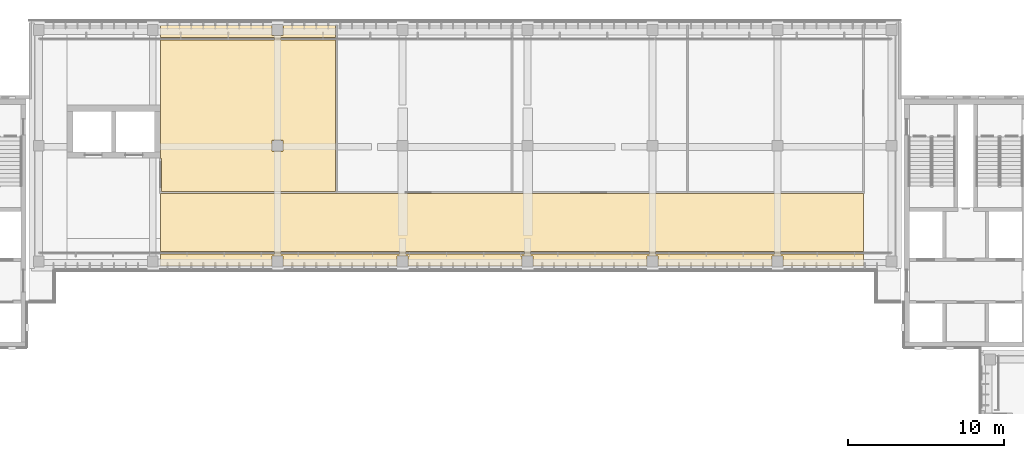
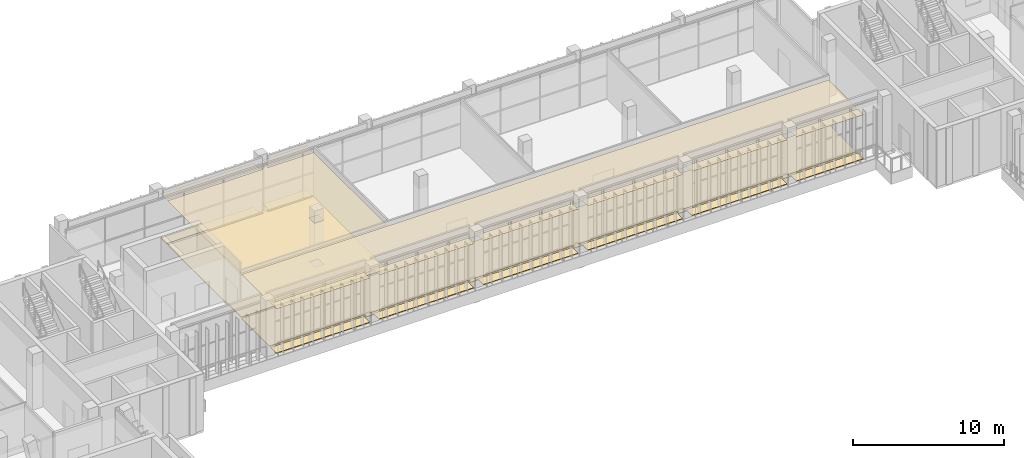
# One storey, part 66 of 73: 4 coverings.
"""IFC4 building model written with IfcOpenShell, lengths in metres."""

from ifc_helpers import new_model, si_unit, direction, frame, origin, place, context, subcontext, project, spatial, polyline, outline, extrude, material, layer, layer_set, type_object, element, save


model = new_model("IFC4")

# Units and contexts
model_context = context("Model", 3, precision=1e-05, world=origin(), true_north=direction((0.0, 1.0)))
body_context = subcontext(model_context, "Body", "Model", "MODEL_VIEW")
ifc_project = project(units=[si_unit("LENGTHUNIT", "METRE"), si_unit("AREAUNIT", "SQUARE_METRE"), si_unit("VOLUMEUNIT", "CUBIC_METRE"), si_unit("PLANEANGLEUNIT", "RADIAN"), si_unit("MASSUNIT", "GRAM", prefix="KILO")], contexts=[model_context])

# Site, building, storey
site_placement = place(None, origin())
site = spatial("IfcSite", under=ifc_project, at=site_placement, CompositionType="ELEMENT")
building_placement = place(site_placement, origin())
building = spatial("IfcBuilding", under=site, at=building_placement, Name="Lantern Court Media Centre", CompositionType="ELEMENT")
storey_placement = place(building_placement, frame((0.0, 0.0, 24.0)))
storey = spatial("IfcBuildingStorey", under=building, at=storey_placement, Name="L05", CompositionType="ELEMENT", Elevation=24.0)

# Coverings
ifc_material_1 = material(Name="Carpet")
ifc_layer_1 = layer(ifc_material_1, 0.050048828125)
ifc_layer_set_1 = layer_set([ifc_layer_1], Name="Carpet")
covering_type_1 = type_object("IfcCoveringType", Name="Carpet floor finish", PredefinedType="FLOORING", material=ifc_layer_set_1)
covering_1_placement = place(storey_placement, origin())
element("IfcCovering", 1, at=covering_1_placement, inside=storey, type_object=covering_type_1, Name="Newsroom floor finish", PredefinedType="FLOORING", context=body_context, shape_type="SweptSolid", body=[
    extrude(outline(polyline([(43.695068359375, 116.699951171875), (43.695068359375, 115.929931640625), (40.195068359375, 115.925048828125), (40.199951171875, 115.77001953125), (43.695068359375, 115.77001953125), (43.695068359375, 106.0673828125), (32.5673828125, 106.0673828125), (32.5673828125, 108.195068359375), (32.5048828125, 108.199951171875), (32.5, 115.77001953125), (39.800048828125, 115.77001953125), (39.804931640625, 115.925048828125), (32.5, 115.929931640625), (32.5, 116.699951171875), (39.64501953125, 116.699951171875), (39.64990234375, 116.044921875), (40.353515625, 116.04638671875), (40.35498046875, 116.699951171875), (43.695068359375, 116.699951171875)]), holes=[polyline([(40.35009765625, 108.64501953125), (40.353515625, 109.353515625), (39.646484375, 109.353515625), (39.646484375, 108.646484375), (40.35009765625, 108.64501953125)])]), origin(), (0.0, 0.0, 1.0), 0.050048828125),
])
ifc_material_2 = material(Name="Mineral fibre ceiling tile")
ifc_layer_2 = layer(ifc_material_2, 0.02001953125)
ifc_layer_set_2 = layer_set([ifc_layer_2], Name="Mineral fibre ceiling tile")
covering_type_2 = type_object("IfcCoveringType", Name="Suspended ceiling tile", PredefinedType="CEILING", material=ifc_layer_set_2)
covering_2_placement = place(storey_placement, frame((0.0, 0.0, 3.60009765625)))
element("IfcCovering", 2, at=covering_2_placement, inside=storey, type_object=covering_type_2, Name="Newsroom ceiling", PredefinedType="CEILING", context=body_context, shape_type="SweptSolid", body=[
    extrude(outline(polyline([(43.75, 115.7705078125), (43.699462890625, 115.77001953125), (43.699462890625, 106.06298828125), (32.56298828125, 106.06298828125), (32.56298828125, 108.195068359375), (32.5, 108.195556640625), (32.5, 115.7744140625), (39.800048828125, 115.7744140625), (39.800537109375, 115.925048828125), (32.5, 115.925537109375), (32.5, 116.699951171875), (39.6494140625, 116.699951171875), (39.64990234375, 116.049560546875), (40.350341796875, 116.049560546875), (40.3505859375, 116.699951171875), (43.699462890625, 116.699951171875), (43.699462890625, 115.929931640625), (43.75, 115.925537109375), (40.199951171875, 115.925537109375), (40.199462890625, 115.77490234375), (43.75, 115.7705078125)]), holes=[polyline([(40.3505859375, 109.35009765625), (39.649658203125, 109.350341796875), (39.649658203125, 108.649658203125), (40.350341796875, 108.649658203125), (40.3505859375, 109.35009765625)])]), origin(), (0.0, 0.0, 1.0), 0.02001953125),
])
covering_3_placement = place(storey_placement, frame((0.0, 0.0, 3.60009765625)))
element("IfcCovering", 3, at=covering_3_placement, inside=storey, type_object=covering_type_2, Name="Corridor ceiling", PredefinedType="CEILING", context=body_context, shape_type="SweptSolid", body=[
    extrude(outline(polyline([(77.5, 101.300048828125), (72.3505859375, 101.300048828125), (72.35009765625, 101.950439453125), (71.649658203125, 101.950439453125), (71.6494140625, 101.300048828125), (64.3505859375, 101.300048828125), (64.35009765625, 101.950439453125), (63.649658203125, 101.950439453125), (63.6494140625, 101.300048828125), (56.3505859375, 101.300048828125), (56.35009765625, 101.950439453125), (55.649658203125, 101.950439453125), (55.6494140625, 101.300048828125), (48.3505859375, 101.300048828125), (48.35009765625, 101.950439453125), (47.649658203125, 101.950439453125), (47.6494140625, 101.300048828125), (40.3505859375, 101.300048828125), (40.35009765625, 101.950439453125), (39.649658203125, 101.950439453125), (39.6494140625, 101.300048828125), (32.5, 101.300048828125), (32.5, 102.074462890625), (39.800537109375, 102.074951171875), (39.800048828125, 102.2255859375), (32.5, 102.2255859375), (32.5, 105.93701171875), (77.5, 105.93701171875), (77.5, 102.2255859375), (72.199462890625, 102.22509765625), (72.199951171875, 102.074462890625), (77.5, 102.074462890625), (77.5, 101.300048828125)]), holes=[polyline([(64.199462890625, 102.074951171875), (71.800048828125, 102.074462890625), (71.800537109375, 102.22509765625), (64.199951171875, 102.2255859375), (64.199462890625, 102.074951171875)]), polyline([(56.199462890625, 102.074951171875), (63.800048828125, 102.074462890625), (63.800537109375, 102.22509765625), (56.199951171875, 102.2255859375), (56.199462890625, 102.074951171875)]), polyline([(48.199951171875, 102.2255859375), (48.199951171875, 102.074462890625), (55.800537109375, 102.074951171875), (55.800048828125, 102.2255859375), (48.199951171875, 102.2255859375)]), polyline([(40.199951171875, 102.2255859375), (40.199951171875, 102.074462890625), (47.800537109375, 102.074951171875), (47.800048828125, 102.2255859375), (40.199951171875, 102.2255859375)])]), origin(), (0.0, 0.0, 1.0), 0.02001953125),
])
ifc_material_3 = material(Name="Terrazzo")
ifc_layer_3 = layer(ifc_material_3, 0.050048828125)
ifc_layer_set_3 = layer_set([ifc_layer_3], Name="Terrazzo")
covering_type_3 = type_object("IfcCoveringType", Name="Terrazzo floor finish", PredefinedType="FLOORING", material=ifc_layer_set_3)
covering_4_placement = place(storey_placement, origin())
element("IfcCovering", 4, at=covering_4_placement, inside=storey, type_object=covering_type_3, Name="Corridor floor finish", PredefinedType="FLOORING", context=body_context, shape_type="SweptSolid", body=[
    extrude(outline(polyline([(77.5, 101.300048828125), (72.35498046875, 101.300048828125), (72.35009765625, 101.955078125), (71.646484375, 101.95361328125), (71.64501953125, 101.300048828125), (64.35498046875, 101.300048828125), (64.35009765625, 101.955078125), (63.646484375, 101.95361328125), (63.64501953125, 101.300048828125), (56.35498046875, 101.300048828125), (56.35009765625, 101.955078125), (55.646484375, 101.95361328125), (55.64501953125, 101.300048828125), (48.35498046875, 101.300048828125), (48.35009765625, 101.955078125), (47.646484375, 101.95361328125), (47.64501953125, 101.300048828125), (40.35498046875, 101.300048828125), (40.35009765625, 101.955078125), (39.646484375, 101.95361328125), (39.64501953125, 101.300048828125), (32.5, 101.300048828125), (32.5, 102.070068359375), (39.804931640625, 102.074951171875), (39.800048828125, 102.22998046875), (32.5, 102.22998046875), (32.5, 105.9326171875), (77.5, 105.9326171875), (77.5, 102.22998046875), (72.195068359375, 102.22509765625), (72.199951171875, 102.070068359375), (77.5, 102.070068359375), (77.5, 101.300048828125)]), holes=[polyline([(64.195068359375, 102.074951171875), (71.800048828125, 102.070068359375), (71.804931640625, 102.22509765625), (64.199951171875, 102.22998046875), (64.195068359375, 102.074951171875)]), polyline([(56.195068359375, 102.074951171875), (63.800048828125, 102.070068359375), (63.804931640625, 102.22509765625), (56.199951171875, 102.22998046875), (56.195068359375, 102.074951171875)]), polyline([(48.199951171875, 102.22998046875), (48.199951171875, 102.070068359375), (55.804931640625, 102.074951171875), (55.800048828125, 102.22998046875), (48.199951171875, 102.22998046875)]), polyline([(40.199951171875, 102.22998046875), (40.199951171875, 102.070068359375), (47.804931640625, 102.074951171875), (47.800048828125, 102.22998046875), (40.199951171875, 102.22998046875)])]), origin(), (0.0, 0.0, 1.0), 0.050048828125),
])

save(model, "model.ifc")
